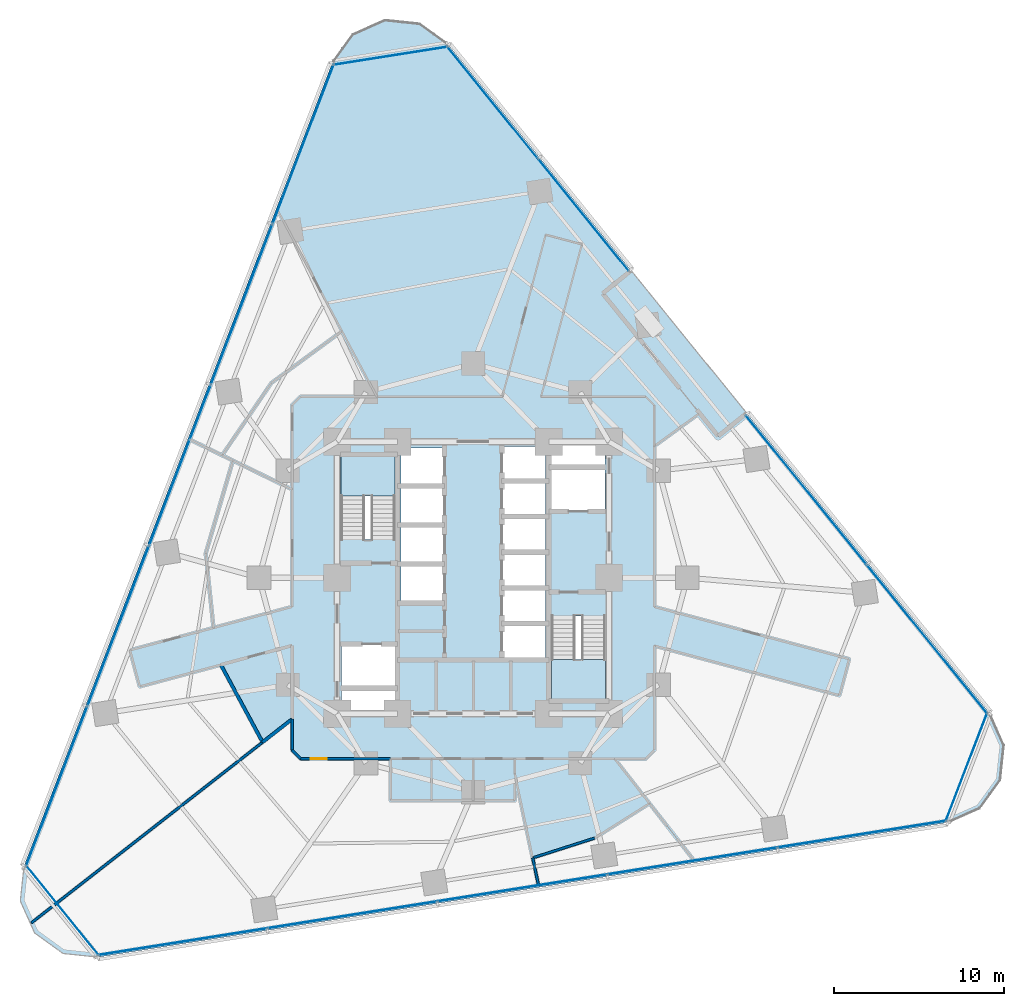
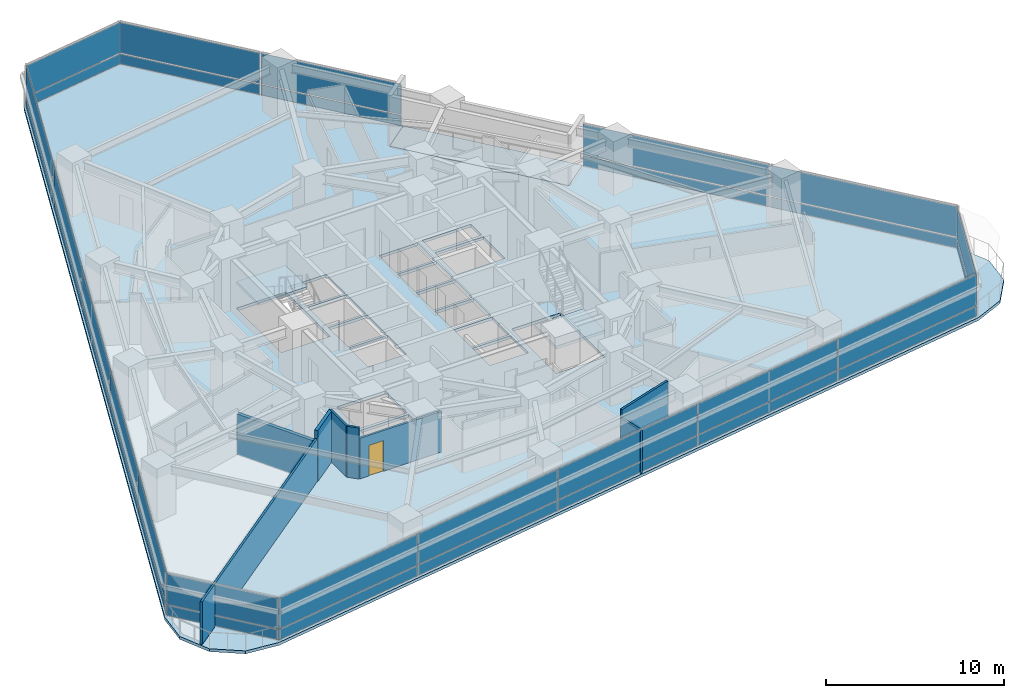
# One storey, part 6 of 13: 34 plates, 8 walls, 4 slabs, 1 door, 1 opening, 9 elements without a shape of their own.
"""IFC4 building model written with IfcOpenShell, lengths in metres."""

import ifcopenshell
import ifcopenshell.guid

model = None  # the IFC model being written
_history = None  # IfcOwnerHistory: only IFC2X3 demands one
_inside = {}  # id of a spatial element -> (the spatial element, [elements in it])
_under = {}  # id of a project, library or spatial element -> (it, [spatial elements below it])
_declared = {}  # id of a project -> (the project, [libraries it declares])
_typed = {}  # id of a type object -> (the type object, [elements of that type])
_made_of = {}  # id of a material, layer set ... -> (it, [elements and type objects made of it])


def new_model(schema):
    """Start an empty IFC model of exactly this schema.

    Asked for "IFC4X3", IfcOpenShell would pick the latest addendum, in which some entities
    have other attributes; the version numbers below select the first issue.
    IFC2X3 requires an IfcOwnerHistory on every rooted entity: one is made here for all.
    """
    global model, _history
    if schema == "IFC4X3":
        model = ifcopenshell.file(schema_version=(4, 3, 0, 0))
    else:
        model = ifcopenshell.file(schema=schema)
    _inside.clear()
    _under.clear()
    _declared.clear()
    _typed.clear()
    _made_of.clear()
    _history = None
    if model.schema == "IFC2X3":
        org = make("IfcOrganization", Name="unknown")
        user = make(
            "IfcPersonAndOrganization",
            ThePerson=make("IfcPerson", FamilyName="unknown"),
            TheOrganization=org,
        )
        app = make(
            "IfcApplication",
            ApplicationDeveloper=org,
            Version="unknown",
            ApplicationFullName="unknown",
            ApplicationIdentifier="unknown",
        )
        _history = make(
            "IfcOwnerHistory",
            OwningUser=user,
            OwningApplication=app,
            ChangeAction="ADDED",
            CreationDate=0,
        )
    return model


def make(cls, **values):
    """One entity of the class cls with the attributes given. An attribute that is None is left unset."""
    return model.create_entity(
        cls, **{name: value for name, value in values.items() if value is not None}
    )


def rooted(cls, **values):
    """An entity with a GlobalId (a new one), such as an element, a storey or a relation."""
    return make(cls, GlobalId=ifcopenshell.guid.new(), OwnerHistory=_history, **values)


def si_unit(unit_type, name, prefix=None):
    """IfcSIUnit, for example si_unit("LENGTHUNIT", "METRE", prefix="MILLI")."""
    return make("IfcSIUnit", UnitType=unit_type, Prefix=prefix, Name=name)


def assignment(units):
    """IfcUnitAssignment: the units of a project."""
    return None if units is None else make("IfcUnitAssignment", Units=units)


def point(xyz):
    """IfcCartesianPoint."""
    return None if xyz is None else make("IfcCartesianPoint", Coordinates=xyz)


def direction(xyz):
    """IfcDirection."""
    return None if xyz is None else make("IfcDirection", DirectionRatios=xyz)


def frame(location, z_axis=None, x_axis=None):
    """IfcAxis2Placement3D, a coordinate frame: its origin and axes. An axis left out is left unset."""
    return make(
        "IfcAxis2Placement3D",
        Location=point(location),
        Axis=direction(z_axis),
        RefDirection=direction(x_axis),
    )


def frame_2d(location, x_axis=None):
    """IfcAxis2Placement2D, a coordinate frame in the plane: its origin and x axis."""
    return make(
        "IfcAxis2Placement2D", Location=point(location), RefDirection=direction(x_axis)
    )


def origin():
    """The frame at (0, 0, 0) with its axes left unset."""
    return frame((0.0, 0.0, 0.0))


def origin_2d():
    """The frame at (0, 0) in the plane with its x axis left unset."""
    return frame_2d((0.0, 0.0))


def place(relative_to, where):
    """IfcLocalPlacement: puts the frame where relative to a parent placement (None: the world)."""
    return make(
        "IfcLocalPlacement", PlacementRelTo=relative_to, RelativePlacement=where
    )


def context(
    kind, dimensions, precision=None, world=None, true_north=None, identifier=None
):
    """IfcGeometricRepresentationContext, for example the 3D "Model" context."""
    return make(
        "IfcGeometricRepresentationContext",
        ContextIdentifier=identifier,
        ContextType=kind,
        CoordinateSpaceDimension=dimensions,
        Precision=precision,
        WorldCoordinateSystem=world,
        TrueNorth=true_north,
    )


def subcontext(parent, identifier, kind, view, scale=None):
    """IfcGeometricRepresentationSubContext, for example "Body" below "Model"."""
    return make(
        "IfcGeometricRepresentationSubContext",
        ContextIdentifier=identifier,
        ContextType=kind,
        ParentContext=parent,
        TargetScale=scale,
        TargetView=view,
    )


def project(units=None, contexts=None):
    """IfcProject with its units and contexts."""
    return rooted(
        "IfcProject",
        Name="project",
        RepresentationContexts=contexts,
        UnitsInContext=assignment(units),
    )


def spatial(cls, under=None, at=None, **own):
    """A site, building, storey or space (cls), placed at a placement, below another one or the project."""
    s = rooted(cls, ObjectPlacement=at, **own)
    if under is not None:
        _under.setdefault(under.id(), (under, []))[1].append(s)
    return s


def polyline(points):
    """IfcPolyline through the points."""
    return make("IfcPolyline", Points=[point(p) for p in points])


def profile(cls, at=None, kind="AREA", **sizes):
    """A parametric profile (cls). Its sizes go by their IFC names, for example OverallWidth=200.0."""
    return make(cls, ProfileType=kind, Position=at, **sizes)


def rectangle(**sizes):
    """IfcRectangleProfileDef."""
    return profile("IfcRectangleProfileDef", **sizes)


def outline(outer, holes=None, kind="AREA"):
    """IfcArbitraryClosedProfileDef: a profile drawn as a closed curve; with holes, ...WithVoids."""
    if holes is None:
        return make("IfcArbitraryClosedProfileDef", ProfileType=kind, OuterCurve=outer)
    return make(
        "IfcArbitraryProfileDefWithVoids",
        ProfileType=kind,
        OuterCurve=outer,
        InnerCurves=holes,
    )


def extrude(swept, where, along, depth):
    """IfcExtrudedAreaSolid: the profile swept, set in the frame where, extruded along a direction by depth."""
    return make(
        "IfcExtrudedAreaSolid",
        SweptArea=swept,
        Position=where,
        ExtrudedDirection=direction(along),
        Depth=depth,
    )


def shape(context_of_items, identifier, shape_type, items):
    """IfcShapeRepresentation: the items that make up one representation, for example the "Body"."""
    return make(
        "IfcShapeRepresentation",
        ContextOfItems=context_of_items,
        RepresentationIdentifier=identifier,
        RepresentationType=shape_type,
        Items=items,
    )


def material(Name=None, Category=None):
    """IfcMaterial."""
    return make("IfcMaterial", Name=Name, Category=Category)


def layer(
    of_material, thickness, ventilated=None, Name=None, Category=None, Priority=None
):
    """IfcMaterialLayer: one layer of a wall or slab, of a material (None: an air gap)."""
    return make(
        "IfcMaterialLayer",
        Material=of_material,
        LayerThickness=thickness,
        IsVentilated=ventilated,
        Name=Name,
        Category=Category,
        Priority=Priority,
    )


def layer_set(layers, Name=None):
    """IfcMaterialLayerSet."""
    return make("IfcMaterialLayerSet", MaterialLayers=layers, LayerSetName=Name)


def made_of(thing, what):
    """Note that an element or type object is made of a material, layer set ...; save() writes the relation."""
    if what is not None:
        _made_of.setdefault(what.id(), (what, []))[1].append(thing)
    return thing


def type_object(cls, material=None, **own):
    """A type object (cls), such as IfcWallType, which elements share."""
    return made_of(rooted(cls, **own), material)


def element(
    cls,
    number,
    at=None,
    inside=None,
    cuts=None,
    type_object=None,
    material=None,
    context=None,
    identifier="Body",
    shape_type=None,
    held_by="IfcProductDefinitionShape",
    body=None,
    shapes=None,
    **own,
):
    """One element of the class cls, such as IfcWall. Its Tag is "e" and its number.

    at: its placement. inside: the storey or other place that contains it. cuts: it is an
    opening in that element (IfcRelVoidsElement). A single representation is given by context,
    identifier, shape_type and body (its items); several are given by shapes. held_by: the class
    of the entity that holds the representations. save() writes the other relations.
    """
    e = rooted(cls, Tag="e%d" % number, ObjectPlacement=at, **own)
    if body is not None:
        shapes = [shape(context, identifier, shape_type, body)]
    if shapes is not None:
        e.Representation = make(held_by, Representations=shapes)
    if inside is not None:
        _inside.setdefault(inside.id(), (inside, []))[1].append(e)
    if cuts is not None:
        rooted(
            "IfcRelVoidsElement", RelatingBuildingElement=cuts, RelatedOpeningElement=e
        )
    if type_object is not None:
        _typed.setdefault(type_object.id(), (type_object, []))[1].append(e)
    return made_of(e, material)


def fill(opening, filler):
    """IfcRelFillsElement: the door or window that sits in an opening."""
    return rooted(
        "IfcRelFillsElement",
        RelatingOpeningElement=opening,
        RelatedBuildingElement=filler,
    )


def aggregate(whole, parts):
    """IfcRelAggregates: a whole, such as a stair, and the parts it consists of."""
    return rooted("IfcRelAggregates", RelatingObject=whole, RelatedObjects=parts)


def save(model, path):
    """Write the relations noted so far, then the file.

    IfcRelAggregates (storeys below a building ...), IfcRelContainedInSpatialStructure (elements
    in a storey), IfcRelDefinesByType, IfcRelAssociatesMaterial and IfcRelDeclares: one each for
    every whole, place, type object, material and project.
    """
    for whole, parts in _under.values():
        aggregate(whole, parts)
    for where, things in _inside.values():
        rooted(
            "IfcRelContainedInSpatialStructure",
            RelatedElements=things,
            RelatingStructure=where,
        )
    for kind, things in _typed.values():
        rooted("IfcRelDefinesByType", RelatedObjects=things, RelatingType=kind)
    for what, things in _made_of.values():
        rooted("IfcRelAssociatesMaterial", RelatedObjects=things, RelatingMaterial=what)
    for by, libraries in _declared.values():
        rooted("IfcRelDeclares", RelatingContext=by, RelatedDefinitions=libraries)
    model.write(path)


model = new_model("IFC4")

# Units and contexts
model_context = context("Model", 3, precision=1e-05, world=origin(), true_north=direction((0.0, 1.0)))
body_context = subcontext(model_context, "Body", "Model", "MODEL_VIEW")
ifc_project = project(units=[si_unit("LENGTHUNIT", "METRE"), si_unit("AREAUNIT", "SQUARE_METRE"), si_unit("VOLUMEUNIT", "CUBIC_METRE"), si_unit("PLANEANGLEUNIT", "RADIAN"), si_unit("MASSUNIT", "GRAM", prefix="KILO")], contexts=[model_context])

# Site, building, storey
site_placement = place(None, origin())
site = spatial("IfcSite", under=ifc_project, at=site_placement, CompositionType="ELEMENT")
building_placement = place(site_placement, origin())
building = spatial("IfcBuilding", under=site, at=building_placement, Name="Terralouvre Media Tower", CompositionType="ELEMENT")
storey_placement = place(building_placement, frame((0.0, 0.0, 77.800048828125)))
storey = spatial("IfcBuildingStorey", under=building, at=storey_placement, Name="L19", CompositionType="ELEMENT", Elevation=77.800048828125)

# Slabs
ifc_material_1 = material(Name="Concrete C40/50", Category="concrete")
ifc_layer_1 = layer(ifc_material_1, 0.199951171875, Name="Composite Tower Floor Slab S-TYP200")
ifc_layer_set_1 = layer_set([ifc_layer_1], Name="Concrete C40/50")
slab_type_1 = type_object("IfcSlabType", Name="Composite Tower Floor Slab S-TYP200", PredefinedType="FLOOR", material=ifc_layer_set_1)
slab_1_placement = place(storey_placement, frame((0.0, 0.0, -0.199951171875), z_axis=(0.0, 0.0, 1.0), x_axis=(0.987688340595, 0.15643446504, 0.0)))
element("IfcSlab", 1, at=slab_1_placement, inside=storey, type_object=slab_type_1, Name="L19 Structural Floor Slab", PredefinedType="FLOOR", context=body_context, shape_type="SweptSolid", body=[
    extrude(outline(polyline([(28.766845703125, -12.62841796875), (17.40673828125, 7.047607421875), (15.544921875, 5.97265625), (10.144775390625, 15.32568359375), (12.0068359375, 16.400634765625), (3.44677734375, 31.22705078125), (1.989990234375, 32.683837890625), (0.0, 33.217041015625), (-1.989990234375, 32.683837890625), (-3.44677734375, 31.22705078125), (-28.766845703125, -12.62841796875), (-29.300048828125, -14.618408203125), (-28.766845703125, -16.6083984375), (-27.31005859375, -18.065185546875), (-25.320068359375, -18.598388671875), (25.320068359375, -18.598388671875), (27.31005859375, -18.065185546875), (28.766845703125, -16.6083984375), (29.300048828125, -14.618408203125), (28.766845703125, -12.62841796875)]), holes=[polyline([(-5.763671875, -6.984375), (-8.874755859375, -6.49169921875), (-8.68701171875, -5.306396484375), (-5.575927734375, -5.799072265625), (-5.763671875, -6.984375)]), polyline([(-5.54443359375, -5.6015625), (-8.65576171875, -5.10888671875), (-8.2724609375, -2.68896484375), (-5.161376953125, -3.181884765625), (-5.54443359375, -5.6015625)]), polyline([(-1.95068359375, -1.128662109375), (-4.419921875, -0.73779296875), (-4.0849609375, 1.3759765625), (-1.61572265625, 0.98486328125), (-1.95068359375, -1.128662109375)]), polyline([(-1.5908203125, 1.142822265625), (-4.06005859375, 1.533935546875), (-3.725341796875, 3.647705078125), (-1.256103515625, 3.256591796875), (-1.5908203125, 1.142822265625)]), polyline([(4.44482421875, 0.895751953125), (1.9755859375, 1.286865234375), (2.279052734375, 3.202880859375), (4.748291015625, 2.811767578125), (4.44482421875, 0.895751953125)]), polyline([(-1.23095703125, 3.41455078125), (-3.7001953125, 3.8056640625), (-3.365478515625, 5.91943359375), (-0.896240234375, 5.5283203125), (-1.23095703125, 3.41455078125)]), polyline([(-4.192138671875, 2.93701171875), (-7.3330078125, 3.434326171875), (-6.548583984375, 8.3876953125), (-3.40771484375, 7.89013671875), (-4.192138671875, 2.93701171875)]), polyline([(-0.87109375, 5.686279296875), (-3.34033203125, 6.077392578125), (-3.005615234375, 8.19091796875), (-0.536376953125, 7.800048828125), (-0.87109375, 5.686279296875)]), polyline([(4.192138671875, -2.93701171875), (7.3330078125, -3.434326171875), (6.548583984375, -8.3876953125), (3.40771484375, -7.89013671875), (4.192138671875, -2.93701171875)]), polyline([(3.459228515625, -5.32666015625), (0.989990234375, -4.935546875), (1.29345703125, -3.01953125), (3.7626953125, -3.41064453125), (3.459228515625, -5.32666015625)]), polyline([(3.787841796875, -3.252685546875), (1.318603515625, -2.861572265625), (1.6220703125, -0.9453125), (4.09130859375, -1.33642578125), (3.787841796875, -3.252685546875)]), polyline([(4.1162109375, -1.178466796875), (1.647216796875, -0.787353515625), (1.95068359375, 1.128662109375), (4.419921875, 0.73779296875), (4.1162109375, -1.178466796875)]), polyline([(4.7734375, 2.9697265625), (2.30419921875, 3.36083984375), (2.607666015625, 5.277099609375), (5.076904296875, 4.885986328125), (4.7734375, 2.9697265625)]), polyline([(8.2724609375, 2.68896484375), (5.161376953125, 3.181884765625), (5.54443359375, 5.6015625), (8.65576171875, 5.10888671875), (8.2724609375, 2.68896484375)]), polyline([(5.101806640625, 5.0439453125), (2.632568359375, 5.43505859375), (2.93603515625, 7.35107421875), (5.4052734375, 6.960205078125), (5.101806640625, 5.0439453125)]), polyline([(8.68701171875, 5.306396484375), (5.575927734375, 5.799072265625), (5.763671875, 6.984375), (8.874755859375, 6.49169921875), (8.68701171875, 5.306396484375)])]), origin(), (0.0, 0.0, 1.0), 0.199951171875),
])
ifc_material_2 = material(Name="Concrete C45/55", Category="concrete")
ifc_layer_2 = layer(ifc_material_2, 0.2099609375, Name="Planted Sky-Garden External Deck S-TER210")
ifc_layer_set_2 = layer_set([ifc_layer_2], Name="Concrete C45/55")
slab_type_2 = type_object("IfcSlabType", Name="Planted Sky-Garden External Deck S-TER210", PredefinedType="FLOOR", material=ifc_layer_set_2)
slab_2_placement = place(storey_placement, frame((0.0, 0.0, -0.2099609375), z_axis=(0.0, 0.0, 1.0), x_axis=(0.987688340595, 0.15643446504, 0.0)))
element("IfcSlab", 2, at=slab_2_placement, inside=storey, type_object=slab_type_2, Name="L19 Helical Planted Sky-Garden Deck 04", PredefinedType="FLOOR", context=body_context, shape_type="SweptSolid", body=[
    extrude(outline(polyline([(17.40673828125, 7.047607421875), (12.0068359375, 16.400634765625), (10.144775390625, 15.32568359375), (15.544921875, 5.97265625), (17.40673828125, 7.047607421875)])), origin(), (0.0, 0.0, 1.0), 0.2099609375),
])

# Stair, slab
ifc_material_3 = material(Name="Concrete C45/55", Category="concrete")
stair_type_1 = type_object("IfcStairType", Name="Dogleg Stair Assembly ST-01", PredefinedType="HALF_TURN_STAIR", material=ifc_material_3)
stair_1_placement = place(storey_placement, origin())
stair_1 = element("IfcStair", 3, at=stair_1_placement, inside=storey, type_object=stair_type_1, Name="L19 Core Pressurised Exit Stair ST-01", PredefinedType="HALF_TURN_STAIR")
ifc_material_4 = material(Name="Concrete C45/55", Category="concrete")
ifc_layer_3 = layer(ifc_material_4, 0.199951171875, Name="Reinforced Concrete Stair Half-Landing SL-LD1")
ifc_layer_set_3 = layer_set([ifc_layer_3], Name="Concrete C45/55")
slab_type_3 = type_object("IfcSlabType", Name="Reinforced Concrete Stair Half-Landing SL-LD1", PredefinedType="LANDING", material=ifc_layer_set_3)
slab_3_placement = place(storey_placement, frame((0.0, 0.0, 1.64990234375)))
slab_3 = element("IfcSlab", 4, at=slab_3_placement, type_object=slab_type_3, Name="ST-01 landing 1", PredefinedType="LANDING", context=body_context, shape_type="SweptSolid", body=[
    extrude(outline(polyline([(-4.60009765625, 4.820068359375), (-4.60009765625, 7.260009765625), (-7.780029296875, 7.260009765625), (-7.780029296875, 4.820068359375), (-4.60009765625, 4.820068359375)])), origin(), (0.0, 0.0, 1.0), 0.199951171875),
])
aggregate(stair_1, [slab_3])

ifc_material_5 = material(Name="Concrete C45/55", Category="concrete")
stair_type_2 = type_object("IfcStairType", Name="Dogleg Stair Assembly ST-02", PredefinedType="HALF_TURN_STAIR", material=ifc_material_5)
stair_2_placement = place(storey_placement, origin())
stair_2 = element("IfcStair", 5, at=stair_2_placement, inside=storey, type_object=stair_type_2, Name="L19 Core Pressurised Exit Stair ST-02", PredefinedType="HALF_TURN_STAIR")
slab_4_placement = place(storey_placement, frame((0.0, 0.0, 1.64990234375)))
slab_4 = element("IfcSlab", 6, at=slab_4_placement, type_object=slab_type_3, Name="ST-02 landing 1", PredefinedType="LANDING", context=body_context, shape_type="SweptSolid", body=[
    extrude(outline(polyline([(4.60009765625, -4.820068359375), (4.60009765625, -7.260009765625), (7.780029296875, -7.260009765625), (7.780029296875, -4.820068359375), (4.60009765625, -4.820068359375)])), origin(), (0.0, 0.0, 1.0), 0.199951171875),
])
aggregate(stair_2, [slab_4])

# Curtain wall, plates
ifc_material_6 = material(Name="Low-iron laminated double glazing with solar-control coating", Category="glass")
ifc_layer_4 = layer(ifc_material_6, 0.1650390625, Name="Rounded Wind-Corner Curved Glazing CW-04")
ifc_layer_set_4 = layer_set([ifc_layer_4], Name="Low-iron laminated double glazing with solar-control coating")
curtain_wall_type_1 = type_object("IfcCurtainWallType", Name="Rounded Wind-Corner Curved Glazing CW-04", PredefinedType="NOTDEFINED", material=ifc_layer_set_4)
curtain_wall_1_placement = place(storey_placement, origin())
curtain_wall_1 = element("IfcCurtainWall", 7, at=curtain_wall_1_placement, inside=storey, type_object=curtain_wall_type_1, Name="L19 Rounded Wind-Corner Curtain Wall C0", PredefinedType="NOTDEFINED")
ifc_material_7 = material(Name="Low-iron laminated double glazing with solar-control coating", Category="glass")
ifc_layer_5 = layer(ifc_material_7, 0.0400390625, Name="Rounded Corner Laminated Vision Panel CWP-03")
ifc_layer_set_5 = layer_set([ifc_layer_5], Name="Low-iron laminated double glazing with solar-control coating")
plate_type_1 = type_object("IfcPlateType", Name="Rounded Corner Laminated Vision Panel CWP-03", PredefinedType="CURTAIN_PANEL", material=ifc_layer_set_5)
plate_1_placement = place(storey_placement, frame((-24.1591796875, -19.563720703125, 0.074951171875), z_axis=(0.0, 0.0, 1.0), x_axis=(0.629320031936, -0.777146252262, 0.0)))
plate_1 = element("IfcPlate", 8, at=plate_1_placement, type_object=plate_type_1, Name="CW-04 panel 1.1", PredefinedType="CURTAIN_PANEL", context=body_context, shape_type="SweptSolid", body=[
    extrude(rectangle(XDim=6.74365234375, YDim=0.035888671875, at=origin_2d()), origin(), (0.0, 0.0, 1.0), 0.6875),
])
plate_2_placement = place(storey_placement, frame((-24.1591796875, -19.563720703125, 0.83740234375), z_axis=(0.0, 0.0, 1.0), x_axis=(0.629320031936, -0.777146252262, 0.0)))
plate_2 = element("IfcPlate", 9, at=plate_2_placement, type_object=plate_type_1, Name="CW-04 panel 1.2", PredefinedType="CURTAIN_PANEL", context=body_context, shape_type="SweptSolid", body=[
    extrude(rectangle(XDim=6.74365234375, YDim=0.035888671875, at=origin_2d()), origin(), (0.0, 0.0, 1.0), 2.08740234375),
])
aggregate(curtain_wall_1, [plate_1, plate_2])

curtain_wall_2_placement = place(storey_placement, origin())
curtain_wall_2 = element("IfcCurtainWall", 10, at=curtain_wall_2_placement, inside=storey, type_object=curtain_wall_type_1, Name="L19 Rounded Wind-Corner Curtain Wall C1", PredefinedType="NOTDEFINED")
plate_3_placement = place(storey_placement, frame((29.022216796875, -11.140625, 0.074951171875), z_axis=(0.0, 0.0, 1.0), x_axis=(0.358367472863, 0.933580609478, 0.0)))
plate_3 = element("IfcPlate", 11, at=plate_3_placement, type_object=plate_type_1, Name="CW-04 panel 1.1", PredefinedType="CURTAIN_PANEL", context=body_context, shape_type="SweptSolid", body=[
    extrude(rectangle(XDim=6.74365234375, YDim=0.035888671875, at=origin_2d()), origin(), (0.0, 0.0, 1.0), 0.6875),
])
plate_4_placement = place(storey_placement, frame((29.022216796875, -11.140625, 0.83740234375), z_axis=(0.0, 0.0, 1.0), x_axis=(0.358367472863, 0.933580609478, 0.0)))
plate_4 = element("IfcPlate", 12, at=plate_4_placement, type_object=plate_type_1, Name="CW-04 panel 1.2", PredefinedType="CURTAIN_PANEL", context=body_context, shape_type="SweptSolid", body=[
    extrude(rectangle(XDim=6.74365234375, YDim=0.035888671875, at=origin_2d()), origin(), (0.0, 0.0, 1.0), 2.08740234375),
])
aggregate(curtain_wall_2, [plate_3, plate_4])

curtain_wall_3_placement = place(storey_placement, origin())
curtain_wall_3 = element("IfcCurtainWall", 13, at=curtain_wall_3_placement, inside=storey, type_object=curtain_wall_type_1, Name="L19 Rounded Wind-Corner Curtain Wall C2", PredefinedType="NOTDEFINED")
plate_5_placement = place(storey_placement, frame((-4.863037109375, 30.704345703125, 0.074951171875), z_axis=(0.0, 0.0, 1.0), x_axis=(-0.987688353034, -0.156434386502, 0.0)))
plate_5 = element("IfcPlate", 14, at=plate_5_placement, type_object=plate_type_1, Name="CW-04 panel 1.1", PredefinedType="CURTAIN_PANEL", context=body_context, shape_type="SweptSolid", body=[
    extrude(rectangle(XDim=6.74365234375, YDim=0.035888671875, at=origin_2d()), origin(), (0.0, 0.0, 1.0), 0.6875),
])
plate_6_placement = place(storey_placement, frame((-4.863037109375, 30.704345703125, 0.83740234375), z_axis=(0.0, 0.0, 1.0), x_axis=(-0.987688353034, -0.156434386502, 0.0)))
plate_6 = element("IfcPlate", 15, at=plate_6_placement, type_object=plate_type_1, Name="CW-04 panel 1.2", PredefinedType="CURTAIN_PANEL", context=body_context, shape_type="SweptSolid", body=[
    extrude(rectangle(XDim=6.74365234375, YDim=0.035888671875, at=origin_2d()), origin(), (0.0, 0.0, 1.0), 2.08740234375),
])
aggregate(curtain_wall_3, [plate_5, plate_6])

ifc_material_8 = material(Name="Low-iron laminated double glazing with solar-control coating", Category="glass")
ifc_layer_6 = layer(ifc_material_8, 0.1650390625, Name="Lower Media Tower Unitised Curtain Wall CW-02")
ifc_layer_set_6 = layer_set([ifc_layer_6], Name="Low-iron laminated double glazing with solar-control coating")
curtain_wall_type_2 = type_object("IfcCurtainWallType", Name="Lower Media Tower Unitised Curtain Wall CW-02", PredefinedType="NOTDEFINED", material=ifc_layer_set_6)
curtain_wall_4_placement = place(storey_placement, origin())
curtain_wall_4 = element("IfcCurtainWall", 16, at=curtain_wall_4_placement, inside=storey, type_object=curtain_wall_type_2, Name="L19 Facade Curtain Wall F0", PredefinedType="NOTDEFINED")
ifc_material_9 = material(Name="Low-iron laminated double glazing with solar-control coating", Category="glass")
ifc_layer_7 = layer(ifc_material_9, 0.035888671875, Name="Vision Double-Glazed Unit CWP-01")
ifc_layer_set_7 = layer_set([ifc_layer_7], Name="Low-iron laminated double glazing with solar-control coating")
plate_type_2 = type_object("IfcPlateType", Name="Vision Double-Glazed Unit CWP-01", PredefinedType="CURTAIN_PANEL", material=ifc_layer_set_7)
plate_7_placement = place(storey_placement, frame((-17.097412109375, -21.416748046875, 0.074951171875), z_axis=(0.0, 0.0, 1.0), x_axis=(0.987688340934, 0.156434462903, 0.0)))
plate_7 = element("IfcPlate", 17, at=plate_7_placement, type_object=plate_type_2, Name="CW-02 panel 1.1", PredefinedType="CURTAIN_PANEL", context=body_context, shape_type="SweptSolid", body=[
    extrude(rectangle(XDim=10.015380859375, YDim=0.035888671875, at=origin_2d()), origin(), (0.0, 0.0, 1.0), 0.6875),
])
plate_8_placement = place(storey_placement, frame((-17.097412109375, -21.416748046875, 0.83740234375), z_axis=(0.0, 0.0, 1.0), x_axis=(0.987688340934, 0.156434462903, 0.0)))
plate_8 = element("IfcPlate", 18, at=plate_8_placement, type_object=plate_type_2, Name="CW-02 panel 1.2", PredefinedType="CURTAIN_PANEL", context=body_context, shape_type="SweptSolid", body=[
    extrude(rectangle(XDim=10.015380859375, YDim=0.035888671875, at=origin_2d()), origin(), (0.0, 0.0, 1.0), 2.08740234375),
])
plate_9_placement = place(storey_placement, frame((-7.112548828125, -19.83544921875, 0.074951171875), z_axis=(0.0, 0.0, 1.0), x_axis=(0.987688340934, 0.156434462903, 0.0)))
plate_9 = element("IfcPlate", 19, at=plate_9_placement, type_object=plate_type_2, Name="CW-02 panel 2.1", PredefinedType="CURTAIN_PANEL", context=body_context, shape_type="SweptSolid", body=[
    extrude(rectangle(XDim=10.052978515625, YDim=0.035888671875, at=origin_2d()), origin(), (0.0, 0.0, 1.0), 0.6875),
])
plate_10_placement = place(storey_placement, frame((-7.112548828125, -19.83544921875, 0.83740234375), z_axis=(0.0, 0.0, 1.0), x_axis=(0.987688340934, 0.156434462903, 0.0)))
plate_10 = element("IfcPlate", 20, at=plate_10_placement, type_object=plate_type_2, Name="CW-02 panel 2.2", PredefinedType="CURTAIN_PANEL", context=body_context, shape_type="SweptSolid", body=[
    extrude(rectangle(XDim=10.052978515625, YDim=0.035888671875, at=origin_2d()), origin(), (0.0, 0.0, 1.0), 2.08740234375),
])
plate_11_placement = place(storey_placement, frame((2.890625, -18.2509765625, 0.074951171875), z_axis=(0.0, 0.0, 1.0), x_axis=(0.987688340934, 0.156434462903, 0.0)))
plate_11 = element("IfcPlate", 21, at=plate_11_placement, type_object=plate_type_2, Name="CW-02 panel 3.1", PredefinedType="CURTAIN_PANEL", context=body_context, shape_type="SweptSolid", body=[
    extrude(rectangle(XDim=10.052978515625, YDim=0.035888671875, at=origin_2d()), origin(), (0.0, 0.0, 1.0), 0.6875),
])
plate_12_placement = place(storey_placement, frame((2.890625, -18.2509765625, 0.83740234375), z_axis=(0.0, 0.0, 1.0), x_axis=(0.987688340934, 0.156434462903, 0.0)))
plate_12 = element("IfcPlate", 22, at=plate_12_placement, type_object=plate_type_2, Name="CW-02 panel 3.2", PredefinedType="CURTAIN_PANEL", context=body_context, shape_type="SweptSolid", body=[
    extrude(rectangle(XDim=10.052978515625, YDim=0.035888671875, at=origin_2d()), origin(), (0.0, 0.0, 1.0), 2.08740234375),
])
plate_13_placement = place(storey_placement, frame((12.89404296875, -16.666748046875, 0.074951171875), z_axis=(0.0, 0.0, 1.0), x_axis=(0.987688340934, 0.156434462903, 0.0)))
plate_13 = element("IfcPlate", 23, at=plate_13_placement, type_object=plate_type_2, Name="CW-02 panel 4.1", PredefinedType="CURTAIN_PANEL", context=body_context, shape_type="SweptSolid", body=[
    extrude(rectangle(XDim=10.052978515625, YDim=0.035888671875, at=origin_2d()), origin(), (0.0, 0.0, 1.0), 0.6875),
])
plate_14_placement = place(storey_placement, frame((12.89404296875, -16.666748046875, 0.83740234375), z_axis=(0.0, 0.0, 1.0), x_axis=(0.987688340934, 0.156434462903, 0.0)))
plate_14 = element("IfcPlate", 24, at=plate_14_placement, type_object=plate_type_2, Name="CW-02 panel 4.2", PredefinedType="CURTAIN_PANEL", context=body_context, shape_type="SweptSolid", body=[
    extrude(rectangle(XDim=10.052978515625, YDim=0.035888671875, at=origin_2d()), origin(), (0.0, 0.0, 1.0), 2.08740234375),
])
plate_15_placement = place(storey_placement, frame((22.878662109375, -15.085205078125, 0.074951171875), z_axis=(0.0, 0.0, 1.0), x_axis=(0.987688340934, 0.156434462903, 0.0)))
plate_15 = element("IfcPlate", 25, at=plate_15_placement, type_object=plate_type_2, Name="CW-02 panel 5.1", PredefinedType="CURTAIN_PANEL", context=body_context, shape_type="SweptSolid", body=[
    extrude(rectangle(XDim=10.015380859375, YDim=0.035888671875, at=origin_2d()), origin(), (0.0, 0.0, 1.0), 0.6875),
])
plate_16_placement = place(storey_placement, frame((22.878662109375, -15.085205078125, 0.83740234375), z_axis=(0.0, 0.0, 1.0), x_axis=(0.987688340934, 0.156434462903, 0.0)))
plate_16 = element("IfcPlate", 26, at=plate_16_placement, type_object=plate_type_2, Name="CW-02 panel 5.2", PredefinedType="CURTAIN_PANEL", context=body_context, shape_type="SweptSolid", body=[
    extrude(rectangle(XDim=10.015380859375, YDim=0.035888671875, at=origin_2d()), origin(), (0.0, 0.0, 1.0), 2.08740234375),
])
aggregate(curtain_wall_4, [plate_7, plate_8, plate_9, plate_10, plate_11, plate_12, plate_13, plate_14, plate_15, plate_16])

curtain_wall_5_placement = place(storey_placement, origin())
curtain_wall_5 = element("IfcCurtainWall", 27, at=curtain_wall_5_placement, inside=storey, type_object=curtain_wall_type_2, Name="L19 Left Flank Curtain Wall F1", PredefinedType="NOTDEFINED")
plate_17_placement = place(storey_placement, frame((26.70849609375, -3.61962890625, 0.074951171875), z_axis=(0.0, 0.0, 1.0), x_axis=(-0.629320278661, 0.777146052468, 0.0)))
plate_17 = element("IfcPlate", 28, at=plate_17_placement, type_object=plate_type_2, Name="CW-02 panel 1.1", PredefinedType="CURTAIN_PANEL", context=body_context, shape_type="SweptSolid", body=[
    extrude(rectangle(XDim=11.24755859375, YDim=0.035888671875, at=origin_2d()), origin(), (0.0, 0.0, 1.0), 0.6875),
])
plate_18_placement = place(storey_placement, frame((26.70849609375, -3.61962890625, 0.83740234375), z_axis=(0.0, 0.0, 1.0), x_axis=(-0.629320278661, 0.777146052468, 0.0)))
plate_18 = element("IfcPlate", 29, at=plate_18_placement, type_object=plate_type_2, Name="CW-02 panel 1.2", PredefinedType="CURTAIN_PANEL", context=body_context, shape_type="SweptSolid", body=[
    extrude(rectangle(XDim=11.24755859375, YDim=0.035888671875, at=origin_2d()), origin(), (0.0, 0.0, 1.0), 2.08740234375),
])
plate_19_placement = place(storey_placement, frame((19.5830078125, 5.179443359375, 0.074951171875), z_axis=(0.0, 0.0, 1.0), x_axis=(-0.629320278661, 0.777146052468, 0.0)))
plate_19 = element("IfcPlate", 30, at=plate_19_placement, type_object=plate_type_2, Name="CW-02 panel 2.1", PredefinedType="CURTAIN_PANEL", context=body_context, shape_type="SweptSolid", body=[
    extrude(rectangle(XDim=11.24755859375, YDim=0.035888671875, at=origin_2d()), origin(), (0.0, 0.0, 1.0), 0.6875),
])
plate_20_placement = place(storey_placement, frame((19.5830078125, 5.179443359375, 0.83740234375), z_axis=(0.0, 0.0, 1.0), x_axis=(-0.629320278661, 0.777146052468, 0.0)))
plate_20 = element("IfcPlate", 31, at=plate_20_placement, type_object=plate_type_2, Name="CW-02 panel 2.2", PredefinedType="CURTAIN_PANEL", context=body_context, shape_type="SweptSolid", body=[
    extrude(rectangle(XDim=11.24755859375, YDim=0.035888671875, at=origin_2d()), origin(), (0.0, 0.0, 1.0), 2.08740234375),
])
aggregate(curtain_wall_5, [plate_17, plate_18, plate_19, plate_20])

curtain_wall_6_placement = place(storey_placement, origin())
curtain_wall_6 = element("IfcCurtainWall", 32, at=curtain_wall_6_placement, inside=storey, type_object=curtain_wall_type_2, Name="L19 Right Flank Curtain Wall F1", PredefinedType="NOTDEFINED")
plate_21_placement = place(storey_placement, frame((6.494873046875, 21.34228515625, 0.074951171875), z_axis=(0.0, 0.0, 1.0), x_axis=(-0.62932053153, 0.777145847699, 0.0)))
plate_21 = element("IfcPlate", 33, at=plate_21_placement, type_object=plate_type_2, Name="CW-02 panel 1.1", PredefinedType="CURTAIN_PANEL", context=body_context, shape_type="SweptSolid", body=[
    extrude(rectangle(XDim=8.447509765625, YDim=0.035888671875, at=origin_2d()), origin(), (0.0, 0.0, 1.0), 0.6875),
])
plate_22_placement = place(storey_placement, frame((6.494873046875, 21.34228515625, 0.83740234375), z_axis=(0.0, 0.0, 1.0), x_axis=(-0.62932053153, 0.777145847699, 0.0)))
plate_22 = element("IfcPlate", 34, at=plate_22_placement, type_object=plate_type_2, Name="CW-02 panel 1.2", PredefinedType="CURTAIN_PANEL", context=body_context, shape_type="SweptSolid", body=[
    extrude(rectangle(XDim=8.447509765625, YDim=0.035888671875, at=origin_2d()), origin(), (0.0, 0.0, 1.0), 2.08740234375),
])
plate_23_placement = place(storey_placement, frame((1.13134765625, 27.965576171875, 0.074951171875), z_axis=(0.0, 0.0, 1.0), x_axis=(-0.62932053153, 0.777145847699, 0.0)))
plate_23 = element("IfcPlate", 35, at=plate_23_placement, type_object=plate_type_2, Name="CW-02 panel 2.1", PredefinedType="CURTAIN_PANEL", context=body_context, shape_type="SweptSolid", body=[
    extrude(rectangle(XDim=8.447509765625, YDim=0.035888671875, at=origin_2d()), origin(), (0.0, 0.0, 1.0), 0.6875),
])
plate_24_placement = place(storey_placement, frame((1.13134765625, 27.965576171875, 0.83740234375), z_axis=(0.0, 0.0, 1.0), x_axis=(-0.62932053153, 0.777145847699, 0.0)))
plate_24 = element("IfcPlate", 36, at=plate_24_placement, type_object=plate_type_2, Name="CW-02 panel 2.2", PredefinedType="CURTAIN_PANEL", context=body_context, shape_type="SweptSolid", body=[
    extrude(rectangle(XDim=8.447509765625, YDim=0.035888671875, at=origin_2d()), origin(), (0.0, 0.0, 1.0), 2.08740234375),
])
aggregate(curtain_wall_6, [plate_21, plate_22, plate_23, plate_24])

curtain_wall_7_placement = place(storey_placement, origin())
curtain_wall_7 = element("IfcCurtainWall", 37, at=curtain_wall_7_placement, inside=storey, type_object=curtain_wall_type_2, Name="L19 Facade Curtain Wall F2", PredefinedType="NOTDEFINED")
plate_25_placement = place(storey_placement, frame((-9.998779296875, 25.51513671875, 0.074951171875), z_axis=(0.0, 0.0, 1.0), x_axis=(-0.358367917006, -0.933580438988, 0.0)))
plate_25 = element("IfcPlate", 38, at=plate_25_placement, type_object=plate_type_2, Name="CW-02 panel 1.1", PredefinedType="CURTAIN_PANEL", context=body_context, shape_type="SweptSolid", body=[
    extrude(rectangle(XDim=10.015380859375, YDim=0.035888671875, at=origin_2d()), origin(), (0.0, 0.0, 1.0), 0.6875),
])
plate_26_placement = place(storey_placement, frame((-9.998779296875, 25.51513671875, 0.83740234375), z_axis=(0.0, 0.0, 1.0), x_axis=(-0.358367917006, -0.933580438988, 0.0)))
plate_26 = element("IfcPlate", 39, at=plate_26_placement, type_object=plate_type_2, Name="CW-02 panel 1.2", PredefinedType="CURTAIN_PANEL", context=body_context, shape_type="SweptSolid", body=[
    extrude(rectangle(XDim=10.015380859375, YDim=0.035888671875, at=origin_2d()), origin(), (0.0, 0.0, 1.0), 2.08740234375),
])
plate_27_placement = place(storey_placement, frame((-13.62158203125, 16.077392578125, 0.074951171875), z_axis=(0.0, 0.0, 1.0), x_axis=(-0.358367917006, -0.933580438988, 0.0)))
plate_27 = element("IfcPlate", 40, at=plate_27_placement, type_object=plate_type_2, Name="CW-02 panel 2.1", PredefinedType="CURTAIN_PANEL", context=body_context, shape_type="SweptSolid", body=[
    extrude(rectangle(XDim=10.052978515625, YDim=0.035888671875, at=origin_2d()), origin(), (0.0, 0.0, 1.0), 0.6875),
])
plate_28_placement = place(storey_placement, frame((-13.62158203125, 16.077392578125, 0.83740234375), z_axis=(0.0, 0.0, 1.0), x_axis=(-0.358367917006, -0.933580438988, 0.0)))
plate_28 = element("IfcPlate", 41, at=plate_28_placement, type_object=plate_type_2, Name="CW-02 panel 2.2", PredefinedType="CURTAIN_PANEL", context=body_context, shape_type="SweptSolid", body=[
    extrude(rectangle(XDim=10.052978515625, YDim=0.035888671875, at=origin_2d()), origin(), (0.0, 0.0, 1.0), 2.08740234375),
])
plate_29_placement = place(storey_placement, frame((-17.251220703125, 6.6220703125, 0.074951171875), z_axis=(0.0, 0.0, 1.0), x_axis=(-0.358367917006, -0.933580438988, 0.0)))
plate_29 = element("IfcPlate", 42, at=plate_29_placement, type_object=plate_type_2, Name="CW-02 panel 3.1", PredefinedType="CURTAIN_PANEL", context=body_context, shape_type="SweptSolid", body=[
    extrude(rectangle(XDim=10.052978515625, YDim=0.035888671875, at=origin_2d()), origin(), (0.0, 0.0, 1.0), 0.6875),
])
plate_30_placement = place(storey_placement, frame((-17.251220703125, 6.6220703125, 0.83740234375), z_axis=(0.0, 0.0, 1.0), x_axis=(-0.358367917006, -0.933580438988, 0.0)))
plate_30 = element("IfcPlate", 43, at=plate_30_placement, type_object=plate_type_2, Name="CW-02 panel 3.2", PredefinedType="CURTAIN_PANEL", context=body_context, shape_type="SweptSolid", body=[
    extrude(rectangle(XDim=10.052978515625, YDim=0.035888671875, at=origin_2d()), origin(), (0.0, 0.0, 1.0), 2.08740234375),
])
plate_31_placement = place(storey_placement, frame((-20.880615234375, -2.833251953125, 0.074951171875), z_axis=(0.0, 0.0, 1.0), x_axis=(-0.358367917006, -0.933580438988, 0.0)))
plate_31 = element("IfcPlate", 44, at=plate_31_placement, type_object=plate_type_2, Name="CW-02 panel 4.1", PredefinedType="CURTAIN_PANEL", context=body_context, shape_type="SweptSolid", body=[
    extrude(rectangle(XDim=10.052978515625, YDim=0.035888671875, at=origin_2d()), origin(), (0.0, 0.0, 1.0), 0.6875),
])
plate_32_placement = place(storey_placement, frame((-20.880615234375, -2.833251953125, 0.83740234375), z_axis=(0.0, 0.0, 1.0), x_axis=(-0.358367917006, -0.933580438988, 0.0)))
plate_32 = element("IfcPlate", 45, at=plate_32_placement, type_object=plate_type_2, Name="CW-02 panel 4.2", PredefinedType="CURTAIN_PANEL", context=body_context, shape_type="SweptSolid", body=[
    extrude(rectangle(XDim=10.052978515625, YDim=0.035888671875, at=origin_2d()), origin(), (0.0, 0.0, 1.0), 2.08740234375),
])
plate_33_placement = place(storey_placement, frame((-24.503662109375, -12.27099609375, 0.074951171875), z_axis=(0.0, 0.0, 1.0), x_axis=(-0.358367917006, -0.933580438988, 0.0)))
plate_33 = element("IfcPlate", 46, at=plate_33_placement, type_object=plate_type_2, Name="CW-02 panel 5.1", PredefinedType="CURTAIN_PANEL", context=body_context, shape_type="SweptSolid", body=[
    extrude(rectangle(XDim=10.015380859375, YDim=0.035888671875, at=origin_2d()), origin(), (0.0, 0.0, 1.0), 0.6875),
])
plate_34_placement = place(storey_placement, frame((-24.503662109375, -12.27099609375, 0.83740234375), z_axis=(0.0, 0.0, 1.0), x_axis=(-0.358367917006, -0.933580438988, 0.0)))
plate_34 = element("IfcPlate", 47, at=plate_34_placement, type_object=plate_type_2, Name="CW-02 panel 5.2", PredefinedType="CURTAIN_PANEL", context=body_context, shape_type="SweptSolid", body=[
    extrude(rectangle(XDim=10.015380859375, YDim=0.035888671875, at=origin_2d()), origin(), (0.0, 0.0, 1.0), 2.08740234375),
])
aggregate(curtain_wall_7, [plate_25, plate_26, plate_27, plate_28, plate_29, plate_30, plate_31, plate_32, plate_33, plate_34])

# Walls
ifc_material_10 = material(Name="Fire-rated gypsum board drywall partition")
ifc_layer_8 = layer(ifc_material_10, 0.199951171875, Name="Fire-Rated Shaft and Lobby Partition FW-200")
ifc_layer_set_8 = layer_set([ifc_layer_8], Name="Fire-rated gypsum board drywall partition")
wall_type_1 = type_object("IfcWallType", Name="Fire-Rated Shaft and Lobby Partition FW-200", PredefinedType="SOLIDWALL", material=ifc_layer_set_8)
wall_1_placement = place(storey_placement, frame((-14.85107421875, -5.117919921875, 0.0), z_axis=(0.0, 0.0, 1.0), x_axis=(0.474543506137, -0.880232049395, 0.0)))
element("IfcWall", 48, at=wall_1_placement, inside=storey, type_object=wall_type_1, Name="L19 Interior Partition 037", PredefinedType="SOLIDWALL", context=body_context, shape_type="SweptSolid", body=[
    extrude(rectangle(XDim=5.183837890625, YDim=0.199951171875, at=frame_2d((2.591796875, 0.0))), origin(), (0.0, 0.0, 1.0), 2.784912109375),
])
wall_2_placement = place(storey_placement, frame((-12.39111328125, -9.680908203125, 0.0), z_axis=(0.0, 0.0, 1.0), x_axis=(0.788124883644, 0.615515367624, 0.0)))
element("IfcWall", 49, at=wall_2_placement, inside=storey, type_object=wall_type_1, Name="L19 Interior Partition 038", PredefinedType="SOLIDWALL", context=body_context, shape_type="SweptSolid", body=[
    extrude(rectangle(XDim=2.209228515625, YDim=0.199951171875, at=frame_2d((1.1044921875, 0.0))), origin(), (0.0, 0.0, 1.0), 3.5),
])
ifc_material_11 = material(Name="Fire-rated gypsum board drywall partition")
ifc_layer_9 = layer(ifc_material_11, 0.135009765625, Name="Newsroom Acoustic Partition PT-135")
ifc_layer_set_9 = layer_set([ifc_layer_9], Name="Fire-rated gypsum board drywall partition")
wall_type_2 = type_object("IfcWallType", Name="Newsroom Acoustic Partition PT-135", PredefinedType="PARTITIONING", material=ifc_layer_set_9)
wall_3_placement = place(storey_placement, frame((-10.64990234375, -8.321044921875, 0.0), z_axis=(0.0, 0.0, 1.0), x_axis=(0.0, -1.0, 0.0)))
element("IfcWall", 50, at=wall_3_placement, inside=storey, type_object=wall_type_2, Name="L19 Interior Partition 022", PredefinedType="PARTITIONING", context=body_context, shape_type="SweptSolid", body=[
    extrude(rectangle(XDim=1.828857421875, YDim=0.135009765625, at=frame_2d((0.91455078125, 0.0))), origin(), (0.0, 0.0, 1.0), 3.5),
])
wall_4_placement = place(storey_placement, frame((-10.64990234375, -10.14990234375, 0.0), z_axis=(0.0, 0.0, 1.0), x_axis=(0.707106781187, -0.707106781187, 0.0)))
element("IfcWall", 51, at=wall_4_placement, inside=storey, type_object=wall_type_2, Name="L19 Interior Partition 023", PredefinedType="PARTITIONING", context=body_context, shape_type="SweptSolid", body=[
    extrude(rectangle(XDim=0.70703125, YDim=0.135009765625, at=frame_2d((0.353515625, 0.0))), origin(), (0.0, 0.0, 1.0), 3.5),
])

# Wall, opening, door
wall_5_placement = place(storey_placement, frame((-10.14990234375, -10.64990234375, 0.0), z_axis=(0.0, 0.0, 1.0), x_axis=(1.0, 0.0, 0.0)))
wall_5 = element("IfcWall", 52, at=wall_5_placement, inside=storey, type_object=wall_type_2, Name="L19 Interior Partition 024", PredefinedType="PARTITIONING", context=body_context, shape_type="SweptSolid", body=[
    extrude(rectangle(XDim=5.2998046875, YDim=0.135009765625, at=frame_2d((2.64990234375, 0.0))), origin(), (0.0, 0.0, 1.0), 2.784912109375),
])
opening_placement = place(wall_5_placement, frame((0.5849609375, 0.0, 0.0)))
opening = element("IfcOpeningElement", 53, at=opening_placement, cuts=wall_5, Name="Opening ID-02-95X210", PredefinedType="OPENING", context=body_context, shape_type="SweptSolid", body=[
    extrude(rectangle(XDim=0.949951171875, YDim=2.10009765625, at=frame_2d((0.47509765625, 1.050048828125))), frame((0.0, 0.077392578125, 0.0), z_axis=(0.0, -1.0, 0.0), x_axis=(1.0, 0.0, 0.0)), (0.0, 0.0, 1.0), 0.155029296875),
])
ifc_material_12 = material(Name="Engineered hardwood acoustic timber leaf", Category="wood")
door_type = type_object("IfcDoorType", Name="Office and Meeting Room Door ID-02 (950x2100)", OperationType="NOTDEFINED", PredefinedType="DOOR", material=ifc_material_12)
door_placement = place(opening_placement, origin())
door = element("IfcDoor", 54, at=door_placement, inside=storey, type_object=door_type, Name="L19 Press Dispatch Post Room 6 Door", OperationType="SINGLE_SWING_LEFT", OverallHeight=2.10009765625, OverallWidth=0.949951171875, PredefinedType="DOOR", context=body_context, shape_type="SweptSolid", body=[
    extrude(rectangle(XDim=0.949951171875, YDim=2.10009765625, at=frame_2d((0.47509765625, 1.050048828125))), frame((0.0, 0.02490234375, 0.0), z_axis=(0.0, -1.0, 0.0), x_axis=(1.0, 0.0, 0.0)), (0.0, 0.0, 1.0), 0.050048828125),
])
fill(opening, door)

# Walls
wall_6_placement = place(storey_placement, frame((-25.99267578125, -20.307373046875, 0.0), z_axis=(0.0, 0.0, 1.0), x_axis=(0.788017511585, 0.61565282541, 0.0)))
element("IfcWall", 55, at=wall_6_placement, inside=storey, type_object=wall_type_2, Name="L19 Interior Partition 041", PredefinedType="PARTITIONING", context=body_context, shape_type="SweptSolid", body=[
    extrude(rectangle(XDim=17.260498046875, YDim=0.135009765625, at=frame_2d((8.63037109375, 0.0))), origin(), (0.0, 0.0, 1.0), 2.93505859375),
])
wall_7_placement = place(storey_placement, frame((3.855224609375, -18.138671875, 0.0), z_axis=(0.0, 0.0, 1.0), x_axis=(-0.207875985054, 0.978155189547, 0.0)))
element("IfcWall", 56, at=wall_7_placement, inside=storey, type_object=wall_type_2, Name="L19 Interior Partition 051", PredefinedType="PARTITIONING", context=body_context, shape_type="SweptSolid", body=[
    extrude(rectangle(XDim=1.69482421875, YDim=0.135009765625, at=frame_2d((0.847412109375, 0.0))), origin(), (0.0, 0.0, 1.0), 2.93505859375),
])
wall_8_placement = place(storey_placement, frame((3.5029296875, -16.48095703125, 0.0), z_axis=(0.0, 0.0, 1.0), x_axis=(0.952459752792, 0.304664437227, 0.0)))
element("IfcWall", 57, at=wall_8_placement, inside=storey, type_object=wall_type_2, Name="L19 Interior Partition 055", PredefinedType="PARTITIONING", context=body_context, shape_type="SweptSolid", body=[
    extrude(rectangle(XDim=3.82080078125, YDim=0.135009765625, at=frame_2d((1.910400390625, 0.0))), origin(), (0.0, 0.0, 1.0), 3.5),
])

save(model, "model.ifc")
